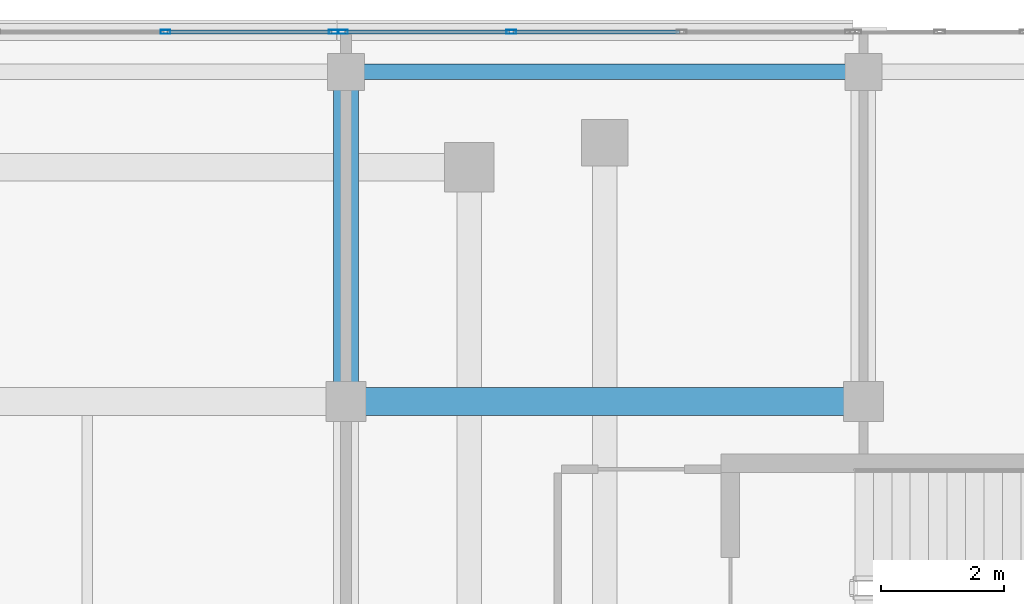
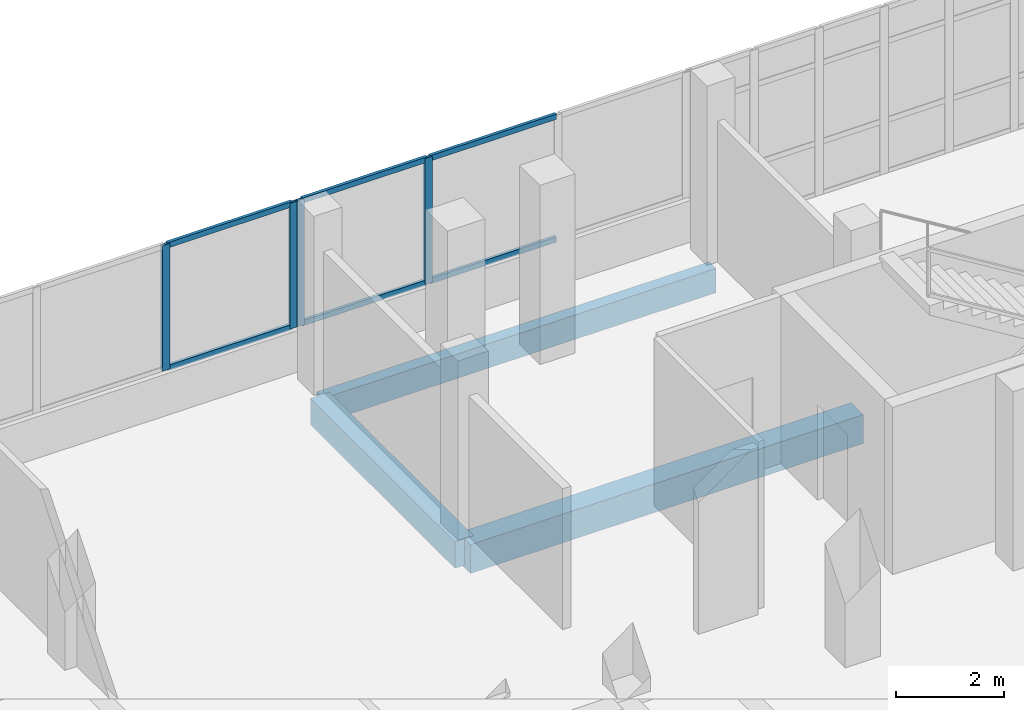
# One storey, part 28 of 76: 10 members, 3 beams, 2 elements without a shape of their own.
"""IFC4 building model written with IfcOpenShell, lengths in metres."""

from ifc_helpers import new_model, si_unit, direction, frame, origin, origin_2d, place, context, subcontext, project, spatial, rectangle, hollow_rectangle, extrude, material, material_profile, profile_set, type_object, element, aggregate, save


model = new_model("IFC4")

# Units and contexts
model_context = context("Model", 3, precision=1e-05, world=origin(), true_north=direction((0.0, 1.0)))
body_context = subcontext(model_context, "Body", "Model", "MODEL_VIEW")
ifc_project = project(units=[si_unit("LENGTHUNIT", "METRE"), si_unit("AREAUNIT", "SQUARE_METRE"), si_unit("VOLUMEUNIT", "CUBIC_METRE"), si_unit("PLANEANGLEUNIT", "RADIAN"), si_unit("MASSUNIT", "GRAM", prefix="KILO")], contexts=[model_context])

# Site, building, storey
site_placement = place(None, origin())
site = spatial("IfcSite", under=ifc_project, at=site_placement, CompositionType="ELEMENT")
building_placement = place(site_placement, origin())
building = spatial("IfcBuilding", under=site, at=building_placement, Name="Selatvlak General Hospital", CompositionType="ELEMENT")
storey_placement = place(building_placement, frame((0.0, 0.0, 27.300048828125)))
storey = spatial("IfcBuildingStorey", under=building, at=storey_placement, Name="L06", CompositionType="ELEMENT", Elevation=27.300048828125)

# Beams
ifc_material_1 = material(Name="Concrete C40/50", Category="concrete")
ifc_material_profile_1 = material_profile(ifc_material_1, rectangle(XDim=0.449951171875, YDim=0.64990234375, at=origin_2d()), Name="RC-BM 450x650")
ifc_profile_set_1 = profile_set([ifc_material_profile_1], Name="Concrete C40/50")
beam_type_1 = type_object("IfcBeamType", Name="BM-G04", PredefinedType="BEAM", material=ifc_profile_set_1)
beam_1_placement = place(storey_placement, frame((81.60009765625, 114.0, -0.60009765625), z_axis=(1.0, 0.0, 0.0), x_axis=(0.0, 1.0, 0.0)))
element("IfcBeam", 1, at=beam_1_placement, inside=storey, type_object=beam_type_1, Name="Beam BMR-L06-2223", PredefinedType="BEAM", context=body_context, shape_type="SweptSolid", body=[
    extrude(rectangle(XDim=0.449951171875, YDim=0.64990234375, at=origin_2d()), origin(), (0.0, 0.0, 1.0), 8.39990234375),
])
ifc_material_profile_2 = material_profile(ifc_material_1, rectangle(XDim=0.39990234375, YDim=0.60009765625, at=origin_2d()), Name="RC-BM 400x600")
ifc_profile_set_2 = profile_set([ifc_material_profile_2], Name="Concrete C40/50")
beam_type_2 = type_object("IfcBeamType", Name="BM-G05", PredefinedType="BEAM", material=ifc_profile_set_2)
beam_2_placement = place(storey_placement, frame((81.60009765625, 114.0, -0.574951171875), z_axis=(0.0, 1.0, 0.0), x_axis=(-1.0, 0.0, 0.0)))
element("IfcBeam", 2, at=beam_2_placement, inside=storey, type_object=beam_type_2, Name="Beam BMR-L06-2281", PredefinedType="BEAM", context=body_context, shape_type="SweptSolid", body=[
    extrude(rectangle(XDim=0.39990234375, YDim=0.60009765625, at=origin_2d()), origin(), (0.0, 0.0, 1.0), 5.35009765625),
])
ifc_material_profile_3 = material_profile(ifc_material_1, rectangle(XDim=0.25, YDim=0.550048828125, at=origin_2d()), Name="RC-SP 250x550")
ifc_profile_set_3 = profile_set([ifc_material_profile_3], Name="Concrete C40/50")
beam_type_3 = type_object("IfcBeamType", Name="BM-SP2", PredefinedType="SPANDREL", material=ifc_profile_set_3)
beam_3_placement = place(storey_placement, frame((81.60009765625, 119.35009765625, -0.550048828125), z_axis=(1.0, 0.0, 0.0), x_axis=(0.0, 1.0, 0.0)))
element("IfcBeam", 3, at=beam_3_placement, inside=storey, type_object=beam_type_3, Name="Beam BMR-L06-2235", PredefinedType="SPANDREL", context=body_context, shape_type="SweptSolid", body=[
    extrude(rectangle(XDim=0.25, YDim=0.550048828125, at=origin_2d()), origin(), (0.0, 0.0, 1.0), 8.39990234375),
])

# Curtain wall, members
ifc_material_2 = material(Name="Solar-control Low-E double glazing", Category="glass")
curtain_wall_type_1 = type_object("IfcCurtainWallType", Name="CW-CW-02", PredefinedType="USERDEFINED", material=ifc_material_2)
curtain_wall_1_placement = place(storey_placement, origin())
curtain_wall_1 = element("IfcCurtainWall", 4, at=curtain_wall_1_placement, inside=storey, type_object=curtain_wall_type_1, Name="Glazed facade curtain wall CW-L06-0604", ObjectType="UNITISED CURTAIN WALL", PredefinedType="USERDEFINED")
ifc_material_3 = material(Name="Dark anodised aluminium mullion", Category="aluminium")
ifc_material_profile_4 = material_profile(ifc_material_3, hollow_rectangle(XDim=0.06494140625, YDim=0.159912109375, WallThickness=0.00390625, at=origin_2d()), Name="AL-MUL 65x160x4")
ifc_profile_set_4 = profile_set([ifc_material_profile_4], Name="Dark anodised aluminium mullion")
member_type_1 = type_object("IfcMemberType", Name="CWM-01", PredefinedType="MULLION", material=ifc_profile_set_4)
member_1_placement = place(storey_placement, frame((78.670654296875, 119.9990234375, 0.93994140625), z_axis=(0.0, 0.0, 1.0), x_axis=(0.0, 1.0, 0.0)))
member_1 = element("IfcMember", 5, at=member_1_placement, type_object=member_type_1, Name="CW-02 mullion 3", PredefinedType="MULLION", context=body_context, shape_type="SweptSolid", body=[
    extrude(hollow_rectangle(XDim=0.06494140625, YDim=0.159912109375, WallThickness=0.00390625, at=origin_2d()), origin(), (0.0, 0.0, 1.0), 2.840087890625),
])
member_2_placement = place(storey_placement, frame((81.404541015625, 119.9990234375, 0.93994140625), z_axis=(0.0, 0.0, 1.0), x_axis=(0.0, 1.0, 0.0)))
member_2 = element("IfcMember", 6, at=member_2_placement, type_object=member_type_1, Name="CW-02 mullion 4", PredefinedType="MULLION", context=body_context, shape_type="SweptSolid", body=[
    extrude(hollow_rectangle(XDim=0.06494140625, YDim=0.159912109375, WallThickness=0.00390625, at=origin_2d()), origin(), (0.0, 0.0, 1.0), 2.840087890625),
])

curtain_wall_type_2 = type_object("IfcCurtainWallType", Name="CW-CW-01", PredefinedType="USERDEFINED", material=ifc_material_2)
curtain_wall_2_placement = place(storey_placement, origin())
curtain_wall_2 = element("IfcCurtainWall", 7, at=curtain_wall_2_placement, inside=storey, type_object=curtain_wall_type_2, Name="Glazed facade curtain wall CW-L06-0605", ObjectType="UNITISED CURTAIN WALL", PredefinedType="USERDEFINED")
member_3_placement = place(storey_placement, frame((81.549560546875, 119.9990234375, 0.93994140625), z_axis=(0.0, 0.0, 1.0), x_axis=(0.0, 1.0, 0.0)))
member_3 = element("IfcMember", 8, at=member_3_placement, type_object=member_type_1, Name="CW-01 mullion 1", PredefinedType="MULLION", context=body_context, shape_type="SweptSolid", body=[
    extrude(hollow_rectangle(XDim=0.06494140625, YDim=0.159912109375, WallThickness=0.00390625, at=origin_2d()), origin(), (0.0, 0.0, 1.0), 2.840087890625),
])
member_4_placement = place(storey_placement, frame((84.283447265625, 119.9990234375, 0.93994140625), z_axis=(0.0, 0.0, 1.0), x_axis=(0.0, 1.0, 0.0)))
member_4 = element("IfcMember", 9, at=member_4_placement, type_object=member_type_1, Name="CW-01 mullion 2", PredefinedType="MULLION", context=body_context, shape_type="SweptSolid", body=[
    extrude(hollow_rectangle(XDim=0.06494140625, YDim=0.159912109375, WallThickness=0.00390625, at=origin_2d()), origin(), (0.0, 0.0, 1.0), 2.840087890625),
])

# Member
ifc_material_profile_5 = material_profile(ifc_material_3, hollow_rectangle(XDim=0.06494140625, YDim=0.1201171875, WallThickness=0.00390625, at=origin_2d()), Name="AL-TRN 65x120x4")
ifc_profile_set_5 = profile_set([ifc_material_profile_5], Name="Dark anodised aluminium mullion")
member_type_2 = type_object("IfcMemberType", Name="CWT-01", PredefinedType="USERDEFINED", material=ifc_profile_set_5)
member_5_placement = place(storey_placement, frame((78.703125, 119.9990234375, 0.972412109375), z_axis=(1.0, 0.0, 0.0), x_axis=(0.0, 1.0, 0.0)))
member_5 = element("IfcMember", 10, at=member_5_placement, type_object=member_type_2, Name="CW-02 transom 3.1", ObjectType="TRANSOM", PredefinedType="USERDEFINED", context=body_context, shape_type="SweptSolid", body=[
    extrude(hollow_rectangle(XDim=0.06494140625, YDim=0.1201171875, WallThickness=0.00390625, at=origin_2d()), origin(), (0.0, 0.0, 1.0), 2.6689453125),
])

member_6_placement = place(storey_placement, frame((78.703125, 119.9990234375, 3.74755859375), z_axis=(1.0, 0.0, 0.0), x_axis=(0.0, 1.0, 0.0)))
member_6 = element("IfcMember", 11, at=member_6_placement, type_object=member_type_2, Name="CW-02 transom 3.2", ObjectType="TRANSOM", PredefinedType="USERDEFINED", context=body_context, shape_type="SweptSolid", body=[
    extrude(hollow_rectangle(XDim=0.06494140625, YDim=0.1201171875, WallThickness=0.00390625, at=origin_2d()), origin(), (0.0, 0.0, 1.0), 2.6689453125),
])

aggregate(curtain_wall_1, [member_1, member_2, member_5, member_6])

member_7_placement = place(storey_placement, frame((81.58203125, 119.9990234375, 0.972412109375), z_axis=(1.0, 0.0, 0.0), x_axis=(0.0, 1.0, 0.0)))
member_7 = element("IfcMember", 12, at=member_7_placement, type_object=member_type_2, Name="CW-01 transom 1.1", ObjectType="TRANSOM", PredefinedType="USERDEFINED", context=body_context, shape_type="SweptSolid", body=[
    extrude(hollow_rectangle(XDim=0.06494140625, YDim=0.1201171875, WallThickness=0.00390625, at=origin_2d()), origin(), (0.0, 0.0, 1.0), 2.668701171875),
])

member_8_placement = place(storey_placement, frame((81.58203125, 119.9990234375, 3.74755859375), z_axis=(1.0, 0.0, 0.0), x_axis=(0.0, 1.0, 0.0)))
member_8 = element("IfcMember", 13, at=member_8_placement, type_object=member_type_2, Name="CW-01 transom 1.2", ObjectType="TRANSOM", PredefinedType="USERDEFINED", context=body_context, shape_type="SweptSolid", body=[
    extrude(hollow_rectangle(XDim=0.06494140625, YDim=0.1201171875, WallThickness=0.00390625, at=origin_2d()), origin(), (0.0, 0.0, 1.0), 2.668701171875),
])

member_9_placement = place(storey_placement, frame((84.31591796875, 119.9990234375, 0.972412109375), z_axis=(1.0, 0.0, 0.0), x_axis=(0.0, 1.0, 0.0)))
member_9 = element("IfcMember", 14, at=member_9_placement, type_object=member_type_2, Name="CW-01 transom 2.1", ObjectType="TRANSOM", PredefinedType="USERDEFINED", context=body_context, shape_type="SweptSolid", body=[
    extrude(hollow_rectangle(XDim=0.06494140625, YDim=0.1201171875, WallThickness=0.00390625, at=origin_2d()), origin(), (0.0, 0.0, 1.0), 2.701171875),
])

member_10_placement = place(storey_placement, frame((84.31591796875, 119.9990234375, 3.74755859375), z_axis=(1.0, 0.0, 0.0), x_axis=(0.0, 1.0, 0.0)))
member_10 = element("IfcMember", 15, at=member_10_placement, type_object=member_type_2, Name="CW-01 transom 2.2", ObjectType="TRANSOM", PredefinedType="USERDEFINED", context=body_context, shape_type="SweptSolid", body=[
    extrude(hollow_rectangle(XDim=0.06494140625, YDim=0.1201171875, WallThickness=0.00390625, at=origin_2d()), origin(), (0.0, 0.0, 1.0), 2.701171875),
])

aggregate(curtain_wall_2, [member_3, member_4, member_7, member_8, member_9, member_10])

save(model, "model.ifc")
